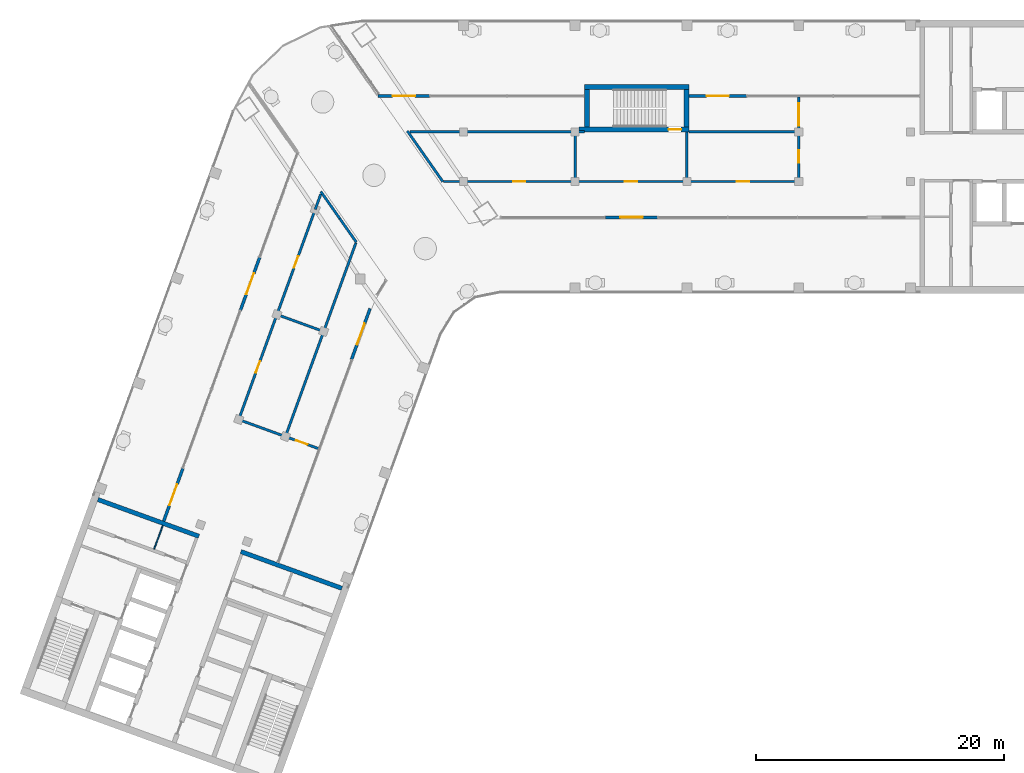
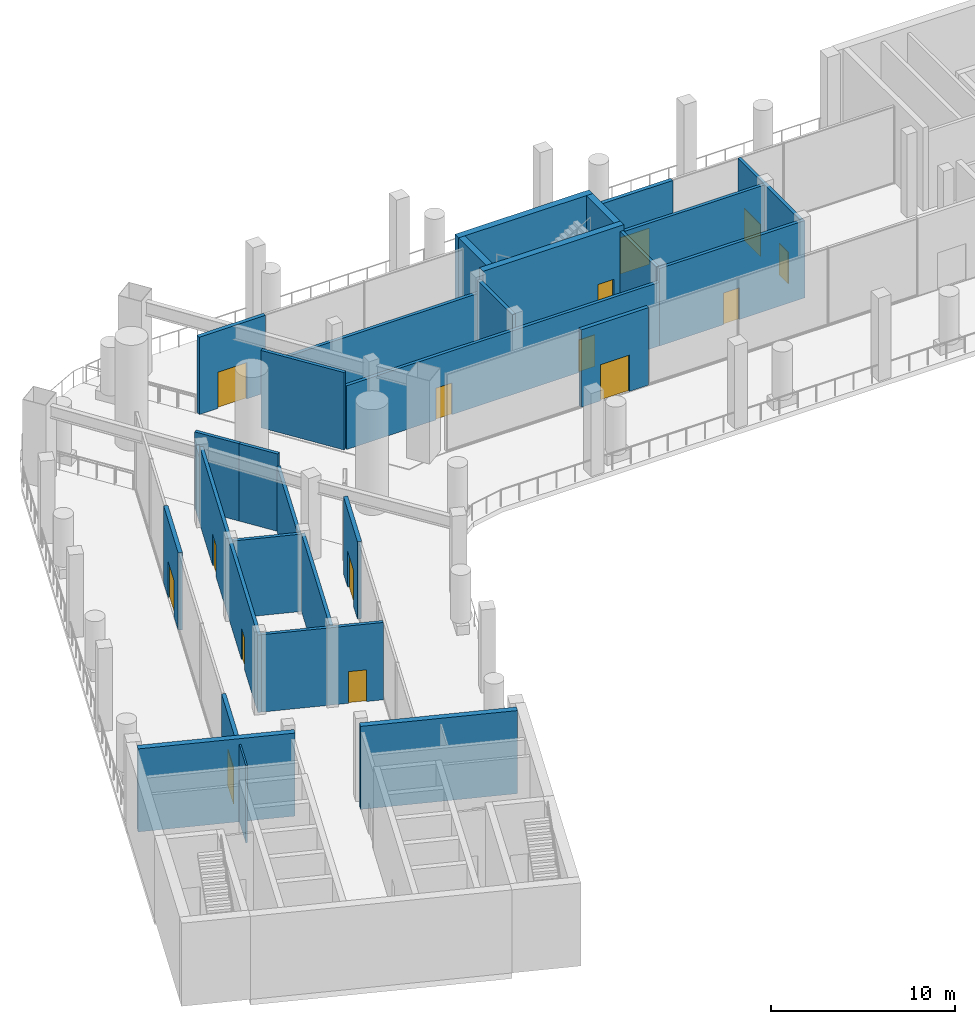
# One storey, part 9 of 17: 29 walls, 15 doors, 15 openings.
"""IFC4 building model written with IfcOpenShell, lengths in metres."""

import ifcopenshell
import ifcopenshell.guid

model = None  # the IFC model being written
_history = None  # IfcOwnerHistory: only IFC2X3 demands one
_inside = {}  # id of a spatial element -> (the spatial element, [elements in it])
_under = {}  # id of a project, library or spatial element -> (it, [spatial elements below it])
_declared = {}  # id of a project -> (the project, [libraries it declares])
_typed = {}  # id of a type object -> (the type object, [elements of that type])
_made_of = {}  # id of a material, layer set ... -> (it, [elements and type objects made of it])


def new_model(schema):
    """Start an empty IFC model of exactly this schema.

    Asked for "IFC4X3", IfcOpenShell would pick the latest addendum, in which some entities
    have other attributes; the version numbers below select the first issue.
    IFC2X3 requires an IfcOwnerHistory on every rooted entity: one is made here for all.
    """
    global model, _history
    if schema == "IFC4X3":
        model = ifcopenshell.file(schema_version=(4, 3, 0, 0))
    else:
        model = ifcopenshell.file(schema=schema)
    _inside.clear()
    _under.clear()
    _declared.clear()
    _typed.clear()
    _made_of.clear()
    _history = None
    if model.schema == "IFC2X3":
        org = make("IfcOrganization", Name="unknown")
        user = make(
            "IfcPersonAndOrganization",
            ThePerson=make("IfcPerson", FamilyName="unknown"),
            TheOrganization=org,
        )
        app = make(
            "IfcApplication",
            ApplicationDeveloper=org,
            Version="unknown",
            ApplicationFullName="unknown",
            ApplicationIdentifier="unknown",
        )
        _history = make(
            "IfcOwnerHistory",
            OwningUser=user,
            OwningApplication=app,
            ChangeAction="ADDED",
            CreationDate=0,
        )
    return model


def make(cls, **values):
    """One entity of the class cls with the attributes given. An attribute that is None is left unset."""
    return model.create_entity(
        cls, **{name: value for name, value in values.items() if value is not None}
    )


def rooted(cls, **values):
    """An entity with a GlobalId (a new one), such as an element, a storey or a relation."""
    return make(cls, GlobalId=ifcopenshell.guid.new(), OwnerHistory=_history, **values)


def si_unit(unit_type, name, prefix=None):
    """IfcSIUnit, for example si_unit("LENGTHUNIT", "METRE", prefix="MILLI")."""
    return make("IfcSIUnit", UnitType=unit_type, Prefix=prefix, Name=name)


def assignment(units):
    """IfcUnitAssignment: the units of a project."""
    return None if units is None else make("IfcUnitAssignment", Units=units)


def point(xyz):
    """IfcCartesianPoint."""
    return None if xyz is None else make("IfcCartesianPoint", Coordinates=xyz)


def direction(xyz):
    """IfcDirection."""
    return None if xyz is None else make("IfcDirection", DirectionRatios=xyz)


def frame(location, z_axis=None, x_axis=None):
    """IfcAxis2Placement3D, a coordinate frame: its origin and axes. An axis left out is left unset."""
    return make(
        "IfcAxis2Placement3D",
        Location=point(location),
        Axis=direction(z_axis),
        RefDirection=direction(x_axis),
    )


def frame_2d(location, x_axis=None):
    """IfcAxis2Placement2D, a coordinate frame in the plane: its origin and x axis."""
    return make(
        "IfcAxis2Placement2D", Location=point(location), RefDirection=direction(x_axis)
    )


def origin():
    """The frame at (0, 0, 0) with its axes left unset."""
    return frame((0.0, 0.0, 0.0))


def place(relative_to, where):
    """IfcLocalPlacement: puts the frame where relative to a parent placement (None: the world)."""
    return make(
        "IfcLocalPlacement", PlacementRelTo=relative_to, RelativePlacement=where
    )


def context(
    kind, dimensions, precision=None, world=None, true_north=None, identifier=None
):
    """IfcGeometricRepresentationContext, for example the 3D "Model" context."""
    return make(
        "IfcGeometricRepresentationContext",
        ContextIdentifier=identifier,
        ContextType=kind,
        CoordinateSpaceDimension=dimensions,
        Precision=precision,
        WorldCoordinateSystem=world,
        TrueNorth=true_north,
    )


def subcontext(parent, identifier, kind, view, scale=None):
    """IfcGeometricRepresentationSubContext, for example "Body" below "Model"."""
    return make(
        "IfcGeometricRepresentationSubContext",
        ContextIdentifier=identifier,
        ContextType=kind,
        ParentContext=parent,
        TargetScale=scale,
        TargetView=view,
    )


def project(units=None, contexts=None):
    """IfcProject with its units and contexts."""
    return rooted(
        "IfcProject",
        Name="project",
        RepresentationContexts=contexts,
        UnitsInContext=assignment(units),
    )


def spatial(cls, under=None, at=None, **own):
    """A site, building, storey or space (cls), placed at a placement, below another one or the project."""
    s = rooted(cls, ObjectPlacement=at, **own)
    if under is not None:
        _under.setdefault(under.id(), (under, []))[1].append(s)
    return s


def profile(cls, at=None, kind="AREA", **sizes):
    """A parametric profile (cls). Its sizes go by their IFC names, for example OverallWidth=200.0."""
    return make(cls, ProfileType=kind, Position=at, **sizes)


def rectangle(**sizes):
    """IfcRectangleProfileDef."""
    return profile("IfcRectangleProfileDef", **sizes)


def extrude(swept, where, along, depth):
    """IfcExtrudedAreaSolid: the profile swept, set in the frame where, extruded along a direction by depth."""
    return make(
        "IfcExtrudedAreaSolid",
        SweptArea=swept,
        Position=where,
        ExtrudedDirection=direction(along),
        Depth=depth,
    )


def shape(context_of_items, identifier, shape_type, items):
    """IfcShapeRepresentation: the items that make up one representation, for example the "Body"."""
    return make(
        "IfcShapeRepresentation",
        ContextOfItems=context_of_items,
        RepresentationIdentifier=identifier,
        RepresentationType=shape_type,
        Items=items,
    )


def material(Name=None, Category=None):
    """IfcMaterial."""
    return make("IfcMaterial", Name=Name, Category=Category)


def layer(
    of_material, thickness, ventilated=None, Name=None, Category=None, Priority=None
):
    """IfcMaterialLayer: one layer of a wall or slab, of a material (None: an air gap)."""
    return make(
        "IfcMaterialLayer",
        Material=of_material,
        LayerThickness=thickness,
        IsVentilated=ventilated,
        Name=Name,
        Category=Category,
        Priority=Priority,
    )


def layer_set(layers, Name=None):
    """IfcMaterialLayerSet."""
    return make("IfcMaterialLayerSet", MaterialLayers=layers, LayerSetName=Name)


def made_of(thing, what):
    """Note that an element or type object is made of a material, layer set ...; save() writes the relation."""
    if what is not None:
        _made_of.setdefault(what.id(), (what, []))[1].append(thing)
    return thing


def type_object(cls, material=None, **own):
    """A type object (cls), such as IfcWallType, which elements share."""
    return made_of(rooted(cls, **own), material)


def element(
    cls,
    number,
    at=None,
    inside=None,
    cuts=None,
    type_object=None,
    material=None,
    context=None,
    identifier="Body",
    shape_type=None,
    held_by="IfcProductDefinitionShape",
    body=None,
    shapes=None,
    **own,
):
    """One element of the class cls, such as IfcWall. Its Tag is "e" and its number.

    at: its placement. inside: the storey or other place that contains it. cuts: it is an
    opening in that element (IfcRelVoidsElement). A single representation is given by context,
    identifier, shape_type and body (its items); several are given by shapes. held_by: the class
    of the entity that holds the representations. save() writes the other relations.
    """
    e = rooted(cls, Tag="e%d" % number, ObjectPlacement=at, **own)
    if body is not None:
        shapes = [shape(context, identifier, shape_type, body)]
    if shapes is not None:
        e.Representation = make(held_by, Representations=shapes)
    if inside is not None:
        _inside.setdefault(inside.id(), (inside, []))[1].append(e)
    if cuts is not None:
        rooted(
            "IfcRelVoidsElement", RelatingBuildingElement=cuts, RelatedOpeningElement=e
        )
    if type_object is not None:
        _typed.setdefault(type_object.id(), (type_object, []))[1].append(e)
    return made_of(e, material)


def fill(opening, filler):
    """IfcRelFillsElement: the door or window that sits in an opening."""
    return rooted(
        "IfcRelFillsElement",
        RelatingOpeningElement=opening,
        RelatedBuildingElement=filler,
    )


def aggregate(whole, parts):
    """IfcRelAggregates: a whole, such as a stair, and the parts it consists of."""
    return rooted("IfcRelAggregates", RelatingObject=whole, RelatedObjects=parts)


def save(model, path):
    """Write the relations noted so far, then the file.

    IfcRelAggregates (storeys below a building ...), IfcRelContainedInSpatialStructure (elements
    in a storey), IfcRelDefinesByType, IfcRelAssociatesMaterial and IfcRelDeclares: one each for
    every whole, place, type object, material and project.
    """
    for whole, parts in _under.values():
        aggregate(whole, parts)
    for where, things in _inside.values():
        rooted(
            "IfcRelContainedInSpatialStructure",
            RelatedElements=things,
            RelatingStructure=where,
        )
    for kind, things in _typed.values():
        rooted("IfcRelDefinesByType", RelatedObjects=things, RelatingType=kind)
    for what, things in _made_of.values():
        rooted("IfcRelAssociatesMaterial", RelatedObjects=things, RelatingMaterial=what)
    for by, libraries in _declared.values():
        rooted("IfcRelDeclares", RelatingContext=by, RelatedDefinitions=libraries)
    model.write(path)


model = new_model("IFC4")

# Units and contexts
model_context = context("Model", 3, precision=1e-05, world=origin(), true_north=direction((0.0, 1.0)))
body_context = subcontext(model_context, "Body", "Model", "MODEL_VIEW")
ifc_project = project(units=[si_unit("LENGTHUNIT", "METRE"), si_unit("AREAUNIT", "SQUARE_METRE"), si_unit("VOLUMEUNIT", "CUBIC_METRE"), si_unit("PLANEANGLEUNIT", "RADIAN"), si_unit("MASSUNIT", "GRAM", prefix="KILO")], contexts=[model_context])

# Site, building, storey
site_placement = place(None, origin())
site = spatial("IfcSite", under=ifc_project, at=site_placement, CompositionType="ELEMENT")
building_placement = place(site_placement, origin())
building = spatial("IfcBuilding", under=site, at=building_placement, Name="Skarvind Civic Tower", CompositionType="ELEMENT")
storey_placement = place(building_placement, frame((0.0, 0.0, 182.5)))
storey = spatial("IfcBuildingStorey", under=building, at=storey_placement, Name="L43", CompositionType="ELEMENT", Elevation=182.5)

# Walls
ifc_material_1 = material(Name="Fire-rated plasterboard partition")
ifc_layer_1 = layer(ifc_material_1, 0.10009765625)
ifc_layer_set_1 = layer_set([ifc_layer_1], Name="Core partition wall 100")
wall_type_1 = type_object("IfcWallType", Name="Core partition wall 100", PredefinedType="PARTITIONING", material=ifc_layer_set_1)
wall_1_placement = place(storey_placement, frame((29.3623046875, 96.410400390625, 0.0), z_axis=(0.0, 0.0, 1.0), x_axis=(0.342043138314, 0.939684250976, 0.0)))
element("IfcWall", 1, at=wall_1_placement, inside=storey, type_object=wall_type_1, Name="Core wall C2", PredefinedType="PARTITIONING", context=body_context, shape_type="SweptSolid", body=[
    extrude(rectangle(XDim=2.02490234375, YDim=0.10009765625, at=frame_2d((1.012451171875, 0.0))), origin(), (0.0, 0.0, 1.0), 5.125),
])
ifc_material_2 = material(Name="Concrete C60", Category="concrete")
ifc_layer_2 = layer(ifc_material_2, 0.35009765625)
ifc_layer_set_2 = layer_set([ifc_layer_2], Name="Core wall 350 C60")
wall_type_2 = type_object("IfcWallType", Name="Core wall 350 C60", PredefinedType="SHEAR", material=ifc_layer_set_2)
wall_2_placement = place(storey_placement, frame((44.473388671875, 93.25146484375, 0.0), z_axis=(0.0, 0.0, 1.0), x_axis=(-0.939692847377, 0.34201952077, 0.0)))
element("IfcWall", 2, at=wall_2_placement, inside=storey, type_object=wall_type_2, Name="Core wall C2 south inner face L43", PredefinedType="SHEAR", context=body_context, shape_type="SweptSolid", body=[
    extrude(rectangle(XDim=8.650146484375, YDim=0.35009765625, at=frame_2d((4.3251953125, 0.0))), origin(), (0.0, 0.0, 1.0), 5.5),
])
wall_3_placement = place(storey_placement, frame((32.9619140625, 97.44140625, 0.0), z_axis=(0.0, 0.0, 1.0), x_axis=(-0.939689545667, 0.342028592028, 0.0)))
element("IfcWall", 3, at=wall_3_placement, inside=storey, type_object=wall_type_2, Name="Core wall C2 north inner face L43", PredefinedType="SHEAR", context=body_context, shape_type="SweptSolid", body=[
    extrude(rectangle(XDim=8.64990234375, YDim=0.35009765625, at=frame_2d((4.324951171875, 0.0))), origin(), (0.0, 0.0, 1.0), 5.5),
])

# Wall, opening, door
ifc_layer_3 = layer(ifc_material_2, 0.39990234375)
ifc_layer_set_3 = layer_set([ifc_layer_3], Name="Core wall 400 C60")
wall_type_3 = type_object("IfcWallType", Name="Core wall 400 C60", PredefinedType="SHEAR", material=ifc_layer_set_3)
wall_4_placement = place(storey_placement, frame((63.574951171875, 130.199951171875, 0.0), z_axis=(0.0, 0.0, 1.0), x_axis=(1.0, 0.0, 0.0)))
wall_4 = element("IfcWall", 4, at=wall_4_placement, inside=storey, type_object=wall_type_3, Name="Core wall CM inner L43", PredefinedType="SHEAR", context=body_context, shape_type="SweptSolid", body=[
    extrude(rectangle(XDim=8.824951171875, YDim=0.39990234375, at=frame_2d((4.41259765625, 0.0))), origin(), (0.0, 0.0, 1.0), 5.5),
])
opening_1_placement = place(wall_4_placement, frame((7.199951171875, 0.0, 0.0)))
opening_1 = element("IfcOpeningElement", 5, at=opening_1_placement, cuts=wall_4, Name="Opening D-L43-CM-01", PredefinedType="OPENING", context=body_context, shape_type="SweptSolid", body=[
    extrude(rectangle(XDim=1.0, YDim=2.10009765625, at=frame_2d((0.5, 1.050048828125))), frame((0.0, 0.2099609375, 0.0), z_axis=(0.0, -1.0, 0.0), x_axis=(1.0, 0.0, 0.0)), (0.0, 0.0, 1.0), 0.419921875),
])
ifc_material_3 = material(Name="Fire-rated steel door", Category="steel")
door_type_1 = type_object("IfcDoorType", Name="Fire door 1000", OperationType="NOTDEFINED", PredefinedType="DOOR", material=ifc_material_3)
door_1_placement = place(opening_1_placement, origin())
door_1 = element("IfcDoor", 6, at=door_1_placement, inside=storey, type_object=door_type_1, Name="Fire door", OperationType="SINGLE_SWING_LEFT", OverallHeight=2.10009765625, OverallWidth=1.0, PredefinedType="DOOR", context=body_context, shape_type="SweptSolid", body=[
    extrude(rectangle(XDim=1.0, YDim=2.10009765625, at=frame_2d((0.5, 1.050048828125))), frame((0.0, 0.02490234375, 0.0), z_axis=(0.0, -1.0, 0.0), x_axis=(1.0, 0.0, 0.0)), (0.0, 0.0, 1.0), 0.050048828125),
])
fill(opening_1, door_1)

# Walls
wall_5_placement = place(storey_placement, frame((64.0, 133.60009765625, 0.0), z_axis=(0.0, 0.0, 1.0), x_axis=(1.0, 0.0, 0.0)))
element("IfcWall", 7, at=wall_5_placement, inside=storey, type_object=wall_type_3, Name="Core wall CM outer L43", PredefinedType="SHEAR", context=body_context, shape_type="SweptSolid", body=[
    extrude(rectangle(XDim=8.39990234375, YDim=0.39990234375, at=frame_2d((4.199951171875, 0.0))), origin(), (0.0, 0.0, 1.0), 5.5),
])
for number, where, z_axis, x_axis, name in (
    (8, (64.199951171875, 130.39990234375, 0.0), (0.0, 0.0, 1.0), (0.0, 1.0, 0.0), "Core wall CM west L43"),
    (9, (72.199951171875, 130.39990234375, 0.0), (0.0, 0.0, 1.0), (0.0, 1.0, 0.0), "Core wall CM end L43"),
):
    element("IfcWall", number, at=place(storey_placement, frame(where, z_axis=z_axis, x_axis=x_axis)), inside=storey, type_object=wall_type_3, Name=name, PredefinedType="SHEAR", context=body_context, shape_type="SweptSolid", body=[
        extrude(rectangle(XDim=3.0, YDim=0.39990234375, at=frame_2d((1.5, 0.0))), origin(), (0.0, 0.0, 1.0), 5.5),
    ])
ifc_material_4 = material(Name="Fire-rated blockwork wall, plastered", Category="masonry")
ifc_layer_4 = layer(ifc_material_4, 0.199951171875)
ifc_layer_set_4 = layer_set([ifc_layer_4], Name="FIRE WALL 200 EI 120")
wall_type_4 = type_object("IfcWallType", Name="FIRE WALL 200 EI 120", PredefinedType="PARTITIONING", material=ifc_layer_set_4)
wall_6_placement = place(storey_placement, frame((49.94091796875, 130.0, 0.0), z_axis=(0.0, 0.0, 1.0), x_axis=(1.0, 0.0, 0.0)))
element("IfcWall", 10, at=wall_6_placement, inside=storey, type_object=wall_type_4, Name="Separator partition L43 007", PredefinedType="PARTITIONING", context=body_context, shape_type="SweptSolid", body=[
    extrude(rectangle(XDim=14.05908203125, YDim=0.199951171875, at=frame_2d((7.029541015625, 0.0))), origin(), (0.0, 0.0, 1.0), 4.22509765625),
])

# Wall, openings, doors
wall_7_placement = place(storey_placement, frame((52.656982421875, 126.0, 0.0), z_axis=(0.0, 0.0, 1.0), x_axis=(1.0, 0.0, 0.0)))
wall_7 = element("IfcWall", 11, at=wall_7_placement, inside=storey, type_object=wall_type_4, Name="Separator partition L43 008", PredefinedType="PARTITIONING", context=body_context, shape_type="SweptSolid", body=[
    extrude(rectangle(XDim=19.593017578125, YDim=0.199951171875, at=frame_2d((9.79638671875, 0.0))), origin(), (0.0, 0.0, 1.0), 4.22509765625),
])
opening_2_placement = place(wall_7_placement, frame((5.59326171875, 0.0, 0.0)))
opening_2 = element("IfcOpeningElement", 12, at=opening_2_placement, cuts=wall_7, Name="Opening L43-D204", PredefinedType="OPENING", context=body_context, shape_type="SweptSolid", body=[
    extrude(rectangle(XDim=1.0, YDim=2.10009765625, at=frame_2d((0.5, 1.050048828125))), frame((0.0, 0.10986328125, 0.0), z_axis=(0.0, -1.0, 0.0), x_axis=(1.0, 0.0, 0.0)), (0.0, 0.0, 1.0), 0.219970703125),
])
opening_3_placement = place(wall_7_placement, frame((14.59326171875, 0.0, 0.0)))
opening_3 = element("IfcOpeningElement", 13, at=opening_3_placement, cuts=wall_7, Name="Opening L43-D205", PredefinedType="OPENING", context=body_context, shape_type="SweptSolid", body=[
    extrude(rectangle(XDim=1.0, YDim=2.10009765625, at=frame_2d((0.5, 1.050048828125))), frame((0.0, 0.10986328125, 0.0), z_axis=(0.0, -1.0, 0.0), x_axis=(1.0, 0.0, 0.0)), (0.0, 0.0, 1.0), 0.219970703125),
])
ifc_material_5 = material(Name="Painted steel fire door leaf", Category="steel")
door_type_2 = type_object("IfcDoorType", Name="FIRE DOOR 1000X2100 STEEL", OperationType="NOTDEFINED", PredefinedType="DOOR", material=ifc_material_5)
door_2_placement = place(opening_2_placement, origin())
door_2 = element("IfcDoor", 14, at=door_2_placement, inside=storey, type_object=door_type_2, Name="FIRE DOOR", OperationType="SINGLE_SWING_LEFT", OverallHeight=2.10009765625, OverallWidth=1.0, PredefinedType="DOOR", context=body_context, shape_type="SweptSolid", body=[
    extrude(rectangle(XDim=1.0, YDim=2.10009765625, at=frame_2d((0.5, 1.050048828125))), frame((0.0, 0.02490234375, 0.0), z_axis=(0.0, -1.0, 0.0), x_axis=(1.0, 0.0, 0.0)), (0.0, 0.0, 1.0), 0.050048828125),
])
fill(opening_2, door_2)
door_3_placement = place(opening_3_placement, origin())
door_3 = element("IfcDoor", 15, at=door_3_placement, inside=storey, type_object=door_type_2, Name="FIRE DOOR", OperationType="SINGLE_SWING_RIGHT", OverallHeight=2.10009765625, OverallWidth=1.0, PredefinedType="DOOR", context=body_context, shape_type="SweptSolid", body=[
    extrude(rectangle(XDim=1.0, YDim=2.10009765625, at=frame_2d((0.5, 1.050048828125))), frame((0.0, 0.02490234375, 0.0), z_axis=(0.0, -1.0, 0.0), x_axis=(1.0, 0.0, 0.0)), (0.0, 0.0, 1.0), 0.050048828125),
])
fill(opening_3, door_3)

# Walls
wall_8_placement = place(storey_placement, frame((63.25, 126.10009765625, 0.0), z_axis=(0.0, 0.0, 1.0), x_axis=(0.0, 1.0, 0.0)))
element("IfcWall", 16, at=wall_8_placement, inside=storey, type_object=wall_type_4, Name="Separator partition L43 009", PredefinedType="PARTITIONING", context=body_context, shape_type="SweptSolid", body=[
    extrude(rectangle(XDim=3.7998046875, YDim=0.199951171875, at=frame_2d((1.89990234375, 0.0))), origin(), (0.0, 0.0, 1.0), 5.125),
])
wall_9_placement = place(storey_placement, frame((72.25, 126.10009765625, 0.0), z_axis=(0.0, 0.0, 1.0), x_axis=(0.0, 1.0, 0.0)))
element("IfcWall", 17, at=wall_9_placement, inside=storey, type_object=wall_type_4, Name="Separator partition L43 010", PredefinedType="PARTITIONING", context=body_context, shape_type="SweptSolid", body=[
    extrude(rectangle(XDim=3.89990234375, YDim=0.199951171875, at=frame_2d((1.949951171875, 0.0))), origin(), (0.0, 0.0, 1.0), 5.125),
])
wall_10_placement = place(storey_placement, frame((52.597900390625, 125.988037109375, 0.0), z_axis=(0.0, 0.0, 1.0), x_axis=(-0.573659598331, 0.819093807352, 0.0)))
element("IfcWall", 18, at=wall_10_placement, inside=storey, type_object=wall_type_4, Name="Separator partition L43 014", PredefinedType="PARTITIONING", context=body_context, shape_type="SweptSolid", body=[
    extrude(rectangle(XDim=4.983642578125, YDim=0.199951171875, at=frame_2d((2.49169921875, 0.0))), origin(), (0.0, 0.0, 1.0), 5.125),
])

# Wall, openings, doors
ifc_layer_5 = layer(ifc_material_4, 0.199951171875)
ifc_layer_set_5 = layer_set([ifc_layer_5], Name="FIRE WALL 200 EI 60")
wall_type_5 = type_object("IfcWallType", Name="FIRE WALL 200 EI 60", PredefinedType="PARTITIONING", material=ifc_layer_set_5)
wall_11_placement = place(storey_placement, frame((42.324951171875, 123.7509765625, 0.0), z_axis=(0.0, 0.0, 1.0), x_axis=(-0.341979144562, -0.939707542103, 0.0)))
wall_11 = element("IfcWall", 19, at=wall_11_placement, inside=storey, type_object=wall_type_5, Name="Separator partition L43 001", PredefinedType="PARTITIONING", context=body_context, shape_type="SweptSolid", body=[
    extrude(rectangle(XDim=18.100341796875, YDim=0.199951171875, at=frame_2d((9.05029296875, 0.0))), origin(), (0.0, 0.0, 1.0), 5.125),
])
opening_4_placement = place(wall_11_placement, frame((13.0009765625, 0.0, 0.0)))
opening_4 = element("IfcOpeningElement", 20, at=opening_4_placement, cuts=wall_11, Name="Opening L43-D201", PredefinedType="OPENING", context=body_context, shape_type="SweptSolid", body=[
    extrude(rectangle(XDim=1.0, YDim=2.10009765625, at=frame_2d((0.5, 1.050048828125))), frame((0.0, 0.10986328125, 0.0), z_axis=(0.0, -1.0, 0.0), x_axis=(1.0, 0.0, 0.0)), (0.0, 0.0, 1.0), 0.219970703125),
])
opening_5_placement = place(wall_11_placement, frame((4.0, 0.0, 0.0)))
opening_5 = element("IfcOpeningElement", 21, at=opening_5_placement, cuts=wall_11, Name="Opening L43-D202", PredefinedType="OPENING", context=body_context, shape_type="SweptSolid", body=[
    extrude(rectangle(XDim=1.0, YDim=2.10009765625, at=frame_2d((0.5, 1.050048828125))), frame((0.0, 0.10986328125, 0.0), z_axis=(0.0, -1.0, 0.0), x_axis=(1.0, 0.0, 0.0)), (0.0, 0.0, 1.0), 0.219970703125),
])
door_4_placement = place(opening_4_placement, origin())
door_4 = element("IfcDoor", 22, at=door_4_placement, inside=storey, type_object=door_type_2, Name="FIRE DOOR", OperationType="SINGLE_SWING_LEFT", OverallHeight=2.10009765625, OverallWidth=1.0, PredefinedType="DOOR", context=body_context, shape_type="SweptSolid", body=[
    extrude(rectangle(XDim=1.0, YDim=2.10009765625, at=frame_2d((0.5, 1.050048828125))), frame((0.0, 0.02490234375, 0.0), z_axis=(0.0, -1.0, 0.0), x_axis=(1.0, 0.0, 0.0)), (0.0, 0.0, 1.0), 0.050048828125),
])
fill(opening_4, door_4)
door_5_placement = place(opening_5_placement, origin())
door_5 = element("IfcDoor", 23, at=door_5_placement, inside=storey, type_object=door_type_2, Name="FIRE DOOR", OperationType="SINGLE_SWING_RIGHT", OverallHeight=2.10009765625, OverallWidth=1.0, PredefinedType="DOOR", context=body_context, shape_type="SweptSolid", body=[
    extrude(rectangle(XDim=1.0, YDim=2.10009765625, at=frame_2d((0.5, 1.050048828125))), frame((0.0, 0.02490234375, 0.0), z_axis=(0.0, -1.0, 0.0), x_axis=(1.0, 0.0, 0.0)), (0.0, 0.0, 1.0), 0.050048828125),
])
fill(opening_5, door_5)

# Wall, opening, door
wall_12_placement = place(storey_placement, frame((36.262939453125, 106.802001953125, 0.0), z_axis=(0.0, 0.0, 1.0), x_axis=(0.939692599749, -0.342020201123, 0.0)))
wall_12 = element("IfcWall", 24, at=wall_12_placement, inside=storey, type_object=wall_type_5, Name="Separator partition L43 002", PredefinedType="PARTITIONING", context=body_context, shape_type="SweptSolid", body=[
    extrude(rectangle(XDim=6.71923828125, YDim=0.199951171875, at=frame_2d((3.359619140625, 0.0))), origin(), (0.0, 0.0, 1.0), 5.125),
])
opening_6_placement = place(wall_12_placement, frame((4.800048828125, 0.0, 0.0)))
opening_6 = element("IfcOpeningElement", 25, at=opening_6_placement, cuts=wall_12, Name="Opening L43-D203", PredefinedType="OPENING", context=body_context, shape_type="SweptSolid", body=[
    extrude(rectangle(XDim=1.0, YDim=2.10009765625, at=frame_2d((0.5, 1.050048828125))), frame((0.0, 0.10986328125, 0.0), z_axis=(0.0, -1.0, 0.0), x_axis=(1.0, 0.0, 0.0)), (0.0, 0.0, 1.0), 0.219970703125),
])
door_6_placement = place(opening_6_placement, origin())
door_6 = element("IfcDoor", 26, at=door_6_placement, inside=storey, type_object=door_type_2, Name="FIRE DOOR", OperationType="SINGLE_SWING_LEFT", OverallHeight=2.10009765625, OverallWidth=1.0, PredefinedType="DOOR", context=body_context, shape_type="SweptSolid", body=[
    extrude(rectangle(XDim=1.0, YDim=2.10009765625, at=frame_2d((0.5, 1.050048828125))), frame((0.0, 0.02490234375, 0.0), z_axis=(0.0, -1.0, 0.0), x_axis=(1.0, 0.0, 0.0)), (0.0, 0.0, 1.0), 0.050048828125),
])
fill(opening_6, door_6)

# Walls
wall_13_placement = place(storey_placement, frame((39.341064453125, 115.259033203125, 0.0), z_axis=(0.0, 0.0, 1.0), x_axis=(0.939667689469, -0.342088633789, 0.0)))
element("IfcWall", 27, at=wall_13_placement, inside=storey, type_object=wall_type_5, Name="Separator partition L43 003", PredefinedType="PARTITIONING", context=body_context, shape_type="SweptSolid", body=[
    extrude(rectangle(XDim=3.80029296875, YDim=0.199951171875, at=frame_2d((1.900146484375, 0.0))), origin(), (0.0, 0.0, 1.0), 5.125),
])
wall_14_placement = place(storey_placement, frame((39.9609375, 105.56201171875, 0.0), z_axis=(0.0, 0.0, 1.0), x_axis=(0.342146086239, 0.939646771756, 0.0)))
element("IfcWall", 28, at=wall_14_placement, inside=storey, type_object=wall_type_5, Name="Separator partition L43 004", PredefinedType="PARTITIONING", context=body_context, shape_type="SweptSolid", body=[
    extrude(rectangle(XDim=8.900146484375, YDim=0.199951171875, at=frame_2d((4.4501953125, 0.0))), origin(), (0.0, 0.0, 1.0), 5.125),
])
wall_15_placement = place(storey_placement, frame((42.324951171875, 123.7509765625, 0.0), z_axis=(0.0, 0.0, 1.0), x_axis=(0.342477242407, 0.939526124402, 0.0)))
element("IfcWall", 29, at=wall_15_placement, inside=storey, type_object=wall_type_5, Name="Separator partition L43 005", PredefinedType="PARTITIONING", context=body_context, shape_type="SweptSolid", body=[
    extrude(rectangle(XDim=1.30810546875, YDim=0.199951171875, at=frame_2d((0.654052734375, 0.0))), origin(), (0.0, 0.0, 1.0), 4.324951171875),
])
wall_16_placement = place(storey_placement, frame((43.006103515625, 113.925048828125, 0.0), z_axis=(0.0, 0.0, 1.0), x_axis=(0.341977957522, 0.939707974091, 0.0)))
element("IfcWall", 30, at=wall_16_placement, inside=storey, type_object=wall_type_5, Name="Separator partition L43 006", PredefinedType="PARTITIONING", context=body_context, shape_type="SweptSolid", body=[
    extrude(rectangle(XDim=7.59375, YDim=0.199951171875, at=frame_2d((3.796875, 0.0))), origin(), (0.0, 0.0, 1.0), 4.324951171875),
])

# Wall, opening, door
wall_17_placement = place(storey_placement, frame((72.25, 126.0, 0.0), z_axis=(0.0, 0.0, 1.0), x_axis=(1.0, 0.0, 0.0)))
wall_17 = element("IfcWall", 31, at=wall_17_placement, inside=storey, type_object=wall_type_5, Name="Separator partition L43 011", PredefinedType="PARTITIONING", context=body_context, shape_type="SweptSolid", body=[
    extrude(rectangle(XDim=9.10009765625, YDim=0.199951171875, at=frame_2d((4.550048828125, 0.0))), origin(), (0.0, 0.0, 1.0), 5.125),
])
opening_7_placement = place(wall_17_placement, frame((4.0, 0.0, 0.0)))
opening_7 = element("IfcOpeningElement", 32, at=opening_7_placement, cuts=wall_17, Name="Opening L43-D206", PredefinedType="OPENING", context=body_context, shape_type="SweptSolid", body=[
    extrude(rectangle(XDim=1.0, YDim=2.10009765625, at=frame_2d((0.5, 1.050048828125))), frame((0.0, 0.10986328125, 0.0), z_axis=(0.0, -1.0, 0.0), x_axis=(1.0, 0.0, 0.0)), (0.0, 0.0, 1.0), 0.219970703125),
])
door_7_placement = place(opening_7_placement, origin())
door_7 = element("IfcDoor", 33, at=door_7_placement, inside=storey, type_object=door_type_2, Name="FIRE DOOR", OperationType="SINGLE_SWING_LEFT", OverallHeight=2.10009765625, OverallWidth=1.0, PredefinedType="DOOR", context=body_context, shape_type="SweptSolid", body=[
    extrude(rectangle(XDim=1.0, YDim=2.10009765625, at=frame_2d((0.5, 1.050048828125))), frame((0.0, 0.02490234375, 0.0), z_axis=(0.0, -1.0, 0.0), x_axis=(1.0, 0.0, 0.0)), (0.0, 0.0, 1.0), 0.050048828125),
])
fill(opening_7, door_7)

# Wall
wall_18_placement = place(storey_placement, frame((72.39990234375, 130.0, 0.0), z_axis=(0.0, 0.0, 1.0), x_axis=(1.0, 0.0, 0.0)))
element("IfcWall", 34, at=wall_18_placement, inside=storey, type_object=wall_type_5, Name="Separator partition L43 012", PredefinedType="PARTITIONING", context=body_context, shape_type="SweptSolid", body=[
    extrude(rectangle(XDim=8.75, YDim=0.199951171875, at=frame_2d((4.375, 0.0))), origin(), (0.0, 0.0, 1.0), 5.125),
])

# Wall, openings, doors
wall_19_placement = place(storey_placement, frame((81.25, 126.10009765625, 0.0), z_axis=(0.0, 0.0, 1.0), x_axis=(0.0, 1.0, 0.0)))
wall_19 = element("IfcWall", 35, at=wall_19_placement, inside=storey, type_object=wall_type_5, Name="Separator partition L43 013", PredefinedType="PARTITIONING", context=body_context, shape_type="SweptSolid", body=[
    extrude(rectangle(XDim=6.719970703125, YDim=0.199951171875, at=frame_2d((3.35986328125, 0.0))), origin(), (0.0, 0.0, 1.0), 5.125),
])
opening_8_placement = place(wall_19_placement, frame((1.39990234375, 0.0, 0.0)))
opening_8 = element("IfcOpeningElement", 36, at=opening_8_placement, cuts=wall_19, Name="Opening L43-D207", PredefinedType="OPENING", context=body_context, shape_type="SweptSolid", body=[
    extrude(rectangle(XDim=1.0, YDim=2.10009765625, at=frame_2d((0.5, 1.050048828125))), frame((0.0, 0.10986328125, 0.0), z_axis=(0.0, -1.0, 0.0), x_axis=(1.0, 0.0, 0.0)), (0.0, 0.0, 1.0), 0.219970703125),
])
opening_9_placement = place(wall_19_placement, frame((4.39990234375, 0.0, 0.0)))
opening_9 = element("IfcOpeningElement", 37, at=opening_9_placement, cuts=wall_19, Name="Opening L43-D208", PredefinedType="OPENING", context=body_context, shape_type="SweptSolid", body=[
    extrude(rectangle(XDim=1.800048828125, YDim=2.10009765625, at=frame_2d((0.89990234375, 1.050048828125))), frame((0.0, 0.10986328125, 0.0), z_axis=(0.0, -1.0, 0.0), x_axis=(1.0, 0.0, 0.0)), (0.0, 0.0, 1.0), 0.219970703125),
])
door_8_placement = place(opening_8_placement, origin())
door_8 = element("IfcDoor", 38, at=door_8_placement, inside=storey, type_object=door_type_2, Name="FIRE DOOR", OperationType="SINGLE_SWING_RIGHT", OverallHeight=2.10009765625, OverallWidth=1.0, PredefinedType="DOOR", context=body_context, shape_type="SweptSolid", body=[
    extrude(rectangle(XDim=1.0, YDim=2.10009765625, at=frame_2d((0.5, 1.050048828125))), frame((0.0, 0.02490234375, 0.0), z_axis=(0.0, -1.0, 0.0), x_axis=(1.0, 0.0, 0.0)), (0.0, 0.0, 1.0), 0.050048828125),
])
fill(opening_8, door_8)
door_type_3 = type_object("IfcDoorType", Name="FIRE DOOR 1800X2100 DOUBLE STEEL", OperationType="NOTDEFINED", PredefinedType="DOOR", material=ifc_material_5)
door_9_placement = place(opening_9_placement, origin())
door_9 = element("IfcDoor", 39, at=door_9_placement, inside=storey, type_object=door_type_3, Name="FIRE DOOR", OperationType="DOUBLE_DOOR_SINGLE_SWING", OverallHeight=2.10009765625, OverallWidth=1.800048828125, PredefinedType="DOOR", context=body_context, shape_type="SweptSolid", body=[
    extrude(rectangle(XDim=1.800048828125, YDim=2.10009765625, at=frame_2d((0.89990234375, 1.050048828125))), frame((0.0, 0.02490234375, 0.0), z_axis=(0.0, -1.0, 0.0), x_axis=(1.0, 0.0, 0.0)), (0.0, 0.0, 1.0), 0.050048828125),
])
fill(opening_9, door_9)

# Walls
wall_20_placement = place(storey_placement, frame((42.77587890625, 125.194091796875, 0.0), z_axis=(0.0, 0.0, 1.0), x_axis=(0.573492079308, -0.819211105254, 0.0)))
element("IfcWall", 40, at=wall_20_placement, inside=storey, type_object=wall_type_5, Name="Separator partition L43 015", PredefinedType="PARTITIONING", context=body_context, shape_type="SweptSolid", body=[
    extrude(rectangle(XDim=2.755126953125, YDim=0.199951171875, at=frame_2d((1.37744140625, 0.0))), origin(), (0.0, 0.0, 1.0), 5.125),
])
wall_21_placement = place(storey_placement, frame((44.298095703125, 123.01904296875, 0.0), z_axis=(0.0, 0.0, 1.0), x_axis=(0.574046148046, -0.818822947843, 0.0)))
element("IfcWall", 41, at=wall_21_placement, inside=storey, type_object=wall_type_5, Name="Separator partition L43 016", PredefinedType="PARTITIONING", context=body_context, shape_type="SweptSolid", body=[
    extrude(rectangle(XDim=2.328857421875, YDim=0.199951171875, at=frame_2d((1.16455078125, 0.0))), origin(), (0.0, 0.0, 1.0), 5.125),
])

# Wall, opening, door
ifc_material_6 = material(Name="Limestone masonry cladding on insulated backing", Category="masonry")
ifc_layer_6 = layer(ifc_material_6, 0.239990234375)
ifc_layer_set_6 = layer_set([ifc_layer_6], Name="WX4 STONE DOOR PIER WALL 240")
wall_type_6 = type_object("IfcWallType", Name="WX4 STONE DOOR PIER WALL 240", PredefinedType="SOLIDWALL", material=ifc_layer_set_6)
wall_22_placement = place(storey_placement, frame((47.382080078125, 132.8798828125, 0.0), z_axis=(0.0, 0.0, 1.0), x_axis=(1.0, 0.0, 0.0)))
wall_22 = element("IfcWall", 42, at=wall_22_placement, inside=storey, type_object=wall_type_6, Name="STONE DOOR PIER WALL", PredefinedType="SOLIDWALL", context=body_context, shape_type="SweptSolid", body=[
    extrude(rectangle(XDim=4.154541015625, YDim=0.239990234375, at=frame_2d((2.0771484375, 0.0))), origin(), (0.0, 0.0, 1.0), 5.125),
])
opening_10_placement = place(wall_22_placement, frame((1.17724609375, 0.0, 0.0)))
opening_10 = element("IfcOpeningElement", 43, at=opening_10_placement, cuts=wall_22, Name="Opening DX3", PredefinedType="OPENING", context=body_context, shape_type="SweptSolid", body=[
    extrude(rectangle(XDim=1.800048828125, YDim=2.39990234375, at=frame_2d((0.89990234375, 1.199951171875))), frame((0.0, 0.1298828125, 0.0), z_axis=(0.0, -1.0, 0.0), x_axis=(1.0, 0.0, 0.0)), (0.0, 0.0, 1.0), 0.260009765625),
])
ifc_material_7 = material(Name="Timber and glass doorset", Category="wood")
door_type_4 = type_object("IfcDoorType", Name="DX3 TERRACE DOORS 1800 x 2400", OperationType="NOTDEFINED", PredefinedType="DOOR", material=ifc_material_7)
door_10_placement = place(opening_10_placement, origin())
door_10 = element("IfcDoor", 44, at=door_10_placement, inside=storey, type_object=door_type_4, Name="TERRACE DOORS", OperationType="DOUBLE_DOOR_SINGLE_SWING", OverallHeight=2.39990234375, OverallWidth=1.800048828125, PredefinedType="DOOR", context=body_context, shape_type="SweptSolid", body=[
    extrude(rectangle(XDim=1.800048828125, YDim=2.39990234375, at=frame_2d((0.89990234375, 1.199951171875))), frame((0.0, 0.02490234375, 0.0), z_axis=(0.0, -1.0, 0.0), x_axis=(1.0, 0.0, 0.0)), (0.0, 0.0, 1.0), 0.050048828125),
])
fill(opening_10, door_10)

wall_23_placement = place(storey_placement, frame((69.89697265625, 123.1201171875, 0.0), z_axis=(0.0, 0.0, 1.0), x_axis=(-1.0, 0.0, 0.0)))
wall_23 = element("IfcWall", 45, at=wall_23_placement, inside=storey, type_object=wall_type_6, Name="STONE DOOR PIER WALL", PredefinedType="SOLIDWALL", context=body_context, shape_type="SweptSolid", body=[
    extrude(rectangle(XDim=4.220703125, YDim=0.239990234375, at=frame_2d((2.1103515625, 0.0))), origin(), (0.0, 0.0, 1.0), 5.125),
])
opening_11_placement = place(wall_23_placement, frame((1.210205078125, 0.0, 0.0)))
opening_11 = element("IfcOpeningElement", 46, at=opening_11_placement, cuts=wall_23, Name="Opening DX3", PredefinedType="OPENING", context=body_context, shape_type="SweptSolid", body=[
    extrude(rectangle(XDim=1.800048828125, YDim=2.39990234375, at=frame_2d((0.89990234375, 1.199951171875))), frame((0.0, 0.1298828125, 0.0), z_axis=(0.0, -1.0, 0.0), x_axis=(1.0, 0.0, 0.0)), (0.0, 0.0, 1.0), 0.260009765625),
])
door_11_placement = place(opening_11_placement, origin())
door_11 = element("IfcDoor", 47, at=door_11_placement, inside=storey, type_object=door_type_4, Name="TERRACE DOORS", OperationType="DOUBLE_DOOR_SINGLE_SWING", OverallHeight=2.39990234375, OverallWidth=1.800048828125, PredefinedType="DOOR", context=body_context, shape_type="SweptSolid", body=[
    extrude(rectangle(XDim=1.800048828125, YDim=2.39990234375, at=frame_2d((0.89990234375, 1.199951171875))), frame((0.0, 0.02490234375, 0.0), z_axis=(0.0, -1.0, 0.0), x_axis=(1.0, 0.0, 0.0)), (0.0, 0.0, 1.0), 0.050048828125),
])
fill(opening_11, door_11)

wall_24_placement = place(storey_placement, frame((72.39990234375, 132.8798828125, 0.0), z_axis=(0.0, 0.0, 1.0), x_axis=(1.0, 0.0, 0.0)))
wall_24 = element("IfcWall", 48, at=wall_24_placement, inside=storey, type_object=wall_type_6, Name="STONE DOOR PIER WALL", PredefinedType="SOLIDWALL", context=body_context, shape_type="SweptSolid", body=[
    extrude(rectangle(XDim=4.650146484375, YDim=0.239990234375, at=frame_2d((2.3251953125, 0.0))), origin(), (0.0, 0.0, 1.0), 5.125),
])
opening_12_placement = place(wall_24_placement, frame((1.425048828125, 0.0, 0.0)))
opening_12 = element("IfcOpeningElement", 49, at=opening_12_placement, cuts=wall_24, Name="Opening DX3", PredefinedType="OPENING", context=body_context, shape_type="SweptSolid", body=[
    extrude(rectangle(XDim=1.800048828125, YDim=2.39990234375, at=frame_2d((0.89990234375, 1.199951171875))), frame((0.0, 0.1298828125, 0.0), z_axis=(0.0, -1.0, 0.0), x_axis=(1.0, 0.0, 0.0)), (0.0, 0.0, 1.0), 0.260009765625),
])
door_12_placement = place(opening_12_placement, origin())
door_12 = element("IfcDoor", 50, at=door_12_placement, inside=storey, type_object=door_type_4, Name="TERRACE DOORS", OperationType="DOUBLE_DOOR_SINGLE_SWING", OverallHeight=2.39990234375, OverallWidth=1.800048828125, PredefinedType="DOOR", context=body_context, shape_type="SweptSolid", body=[
    extrude(rectangle(XDim=1.800048828125, YDim=2.39990234375, at=frame_2d((0.89990234375, 1.199951171875))), frame((0.0, 0.02490234375, 0.0), z_axis=(0.0, -1.0, 0.0), x_axis=(1.0, 0.0, 0.0)), (0.0, 0.0, 1.0), 0.050048828125),
])
fill(opening_12, door_12)

wall_25_placement = place(storey_placement, frame((30.127685546875, 98.6591796875, 0.0), z_axis=(0.0, 0.0, 1.0), x_axis=(0.342038159768, 0.939686063142, 0.0)))
wall_25 = element("IfcWall", 51, at=wall_25_placement, inside=storey, type_object=wall_type_6, Name="STONE DOOR PIER WALL", PredefinedType="SOLIDWALL", context=body_context, shape_type="SweptSolid", body=[
    extrude(rectangle(XDim=4.516845703125, YDim=0.239990234375, at=frame_2d((2.25830078125, 0.0))), origin(), (0.0, 0.0, 1.0), 5.125),
])
opening_13_placement = place(wall_25_placement, frame((1.3583984375, 0.0, 0.0)))
opening_13 = element("IfcOpeningElement", 52, at=opening_13_placement, cuts=wall_25, Name="Opening DX3", PredefinedType="OPENING", context=body_context, shape_type="SweptSolid", body=[
    extrude(rectangle(XDim=1.800048828125, YDim=2.39990234375, at=frame_2d((0.89990234375, 1.199951171875))), frame((0.0, 0.1298828125, 0.0), z_axis=(0.0, -1.0, 0.0), x_axis=(1.0, 0.0, 0.0)), (0.0, 0.0, 1.0), 0.260009765625),
])
door_13_placement = place(opening_13_placement, origin())
door_13 = element("IfcDoor", 53, at=door_13_placement, inside=storey, type_object=door_type_4, Name="TERRACE DOORS", OperationType="DOUBLE_DOOR_SINGLE_SWING", OverallHeight=2.39990234375, OverallWidth=1.800048828125, PredefinedType="DOOR", context=body_context, shape_type="SweptSolid", body=[
    extrude(rectangle(XDim=1.800048828125, YDim=2.39990234375, at=frame_2d((0.89990234375, 1.199951171875))), frame((0.0, 0.02490234375, 0.0), z_axis=(0.0, -1.0, 0.0), x_axis=(1.0, 0.0, 0.0)), (0.0, 0.0, 1.0), 0.050048828125),
])
fill(opening_13, door_13)

wall_26_placement = place(storey_placement, frame((36.30712890625, 115.636962890625, 0.0), z_axis=(0.0, 0.0, 1.0), x_axis=(0.341990430397, 0.939703434875, 0.0)))
wall_26 = element("IfcWall", 54, at=wall_26_placement, inside=storey, type_object=wall_type_6, Name="STONE DOOR PIER WALL", PredefinedType="SOLIDWALL", context=body_context, shape_type="SweptSolid", body=[
    extrude(rectangle(XDim=4.516845703125, YDim=0.239990234375, at=frame_2d((2.25830078125, 0.0))), origin(), (0.0, 0.0, 1.0), 5.125),
])
opening_14_placement = place(wall_26_placement, frame((1.3583984375, 0.0, 0.0)))
opening_14 = element("IfcOpeningElement", 55, at=opening_14_placement, cuts=wall_26, Name="Opening DX3", PredefinedType="OPENING", context=body_context, shape_type="SweptSolid", body=[
    extrude(rectangle(XDim=1.800048828125, YDim=2.39990234375, at=frame_2d((0.89990234375, 1.199951171875))), frame((0.0, 0.1298828125, 0.0), z_axis=(0.0, -1.0, 0.0), x_axis=(1.0, 0.0, 0.0)), (0.0, 0.0, 1.0), 0.260009765625),
])
door_14_placement = place(opening_14_placement, origin())
door_14 = element("IfcDoor", 56, at=door_14_placement, inside=storey, type_object=door_type_4, Name="TERRACE DOORS", OperationType="DOUBLE_DOOR_SINGLE_SWING", OverallHeight=2.39990234375, OverallWidth=1.800048828125, PredefinedType="DOOR", context=body_context, shape_type="SweptSolid", body=[
    extrude(rectangle(XDim=1.800048828125, YDim=2.39990234375, at=frame_2d((0.89990234375, 1.199951171875))), frame((0.0, 0.02490234375, 0.0), z_axis=(0.0, -1.0, 0.0), x_axis=(1.0, 0.0, 0.0)), (0.0, 0.0, 1.0), 0.050048828125),
])
fill(opening_14, door_14)

wall_27_placement = place(storey_placement, frame((46.7431640625, 115.7734375, 0.0), z_axis=(0.0, 0.0, 1.0), x_axis=(-0.342004232448, -0.939698411719, 0.0)))
wall_27 = element("IfcWall", 57, at=wall_27_placement, inside=storey, type_object=wall_type_6, Name="STONE DOOR PIER WALL", PredefinedType="SOLIDWALL", context=body_context, shape_type="SweptSolid", body=[
    extrude(rectangle(XDim=4.35302734375, YDim=0.239990234375, at=frame_2d((2.176513671875, 0.0))), origin(), (0.0, 0.0, 1.0), 5.125),
])
opening_15_placement = place(wall_27_placement, frame((1.276611328125, 0.0, 0.0)))
opening_15 = element("IfcOpeningElement", 58, at=opening_15_placement, cuts=wall_27, Name="Opening DX3", PredefinedType="OPENING", context=body_context, shape_type="SweptSolid", body=[
    extrude(rectangle(XDim=1.800048828125, YDim=2.39990234375, at=frame_2d((0.89990234375, 1.199951171875))), frame((0.0, 0.1298828125, 0.0), z_axis=(0.0, -1.0, 0.0), x_axis=(1.0, 0.0, 0.0)), (0.0, 0.0, 1.0), 0.260009765625),
])
door_15_placement = place(opening_15_placement, origin())
door_15 = element("IfcDoor", 59, at=door_15_placement, inside=storey, type_object=door_type_4, Name="TERRACE DOORS", OperationType="DOUBLE_DOOR_SINGLE_SWING", OverallHeight=2.39990234375, OverallWidth=1.800048828125, PredefinedType="DOOR", context=body_context, shape_type="SweptSolid", body=[
    extrude(rectangle(XDim=1.800048828125, YDim=2.39990234375, at=frame_2d((0.89990234375, 1.199951171875))), frame((0.0, 0.02490234375, 0.0), z_axis=(0.0, -1.0, 0.0), x_axis=(1.0, 0.0, 0.0)), (0.0, 0.0, 1.0), 0.050048828125),
])
fill(opening_15, door_15)

save(model, "model.ifc")
